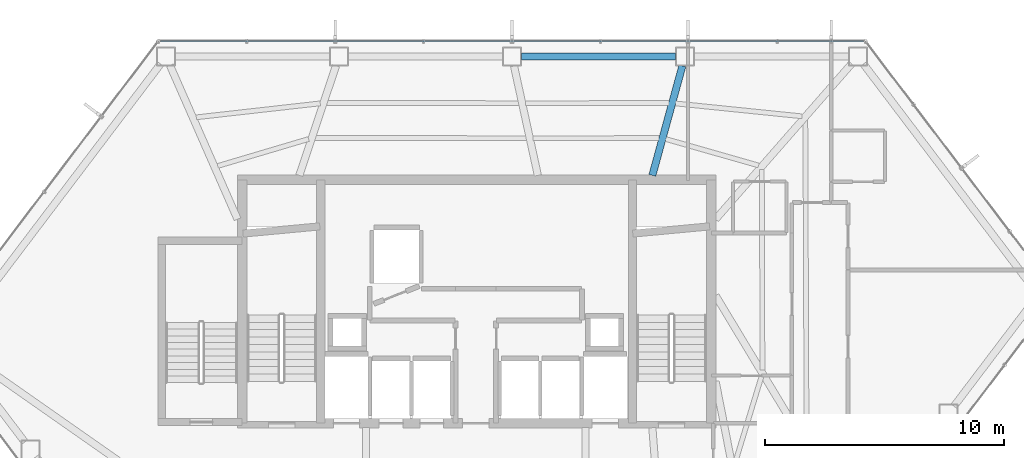
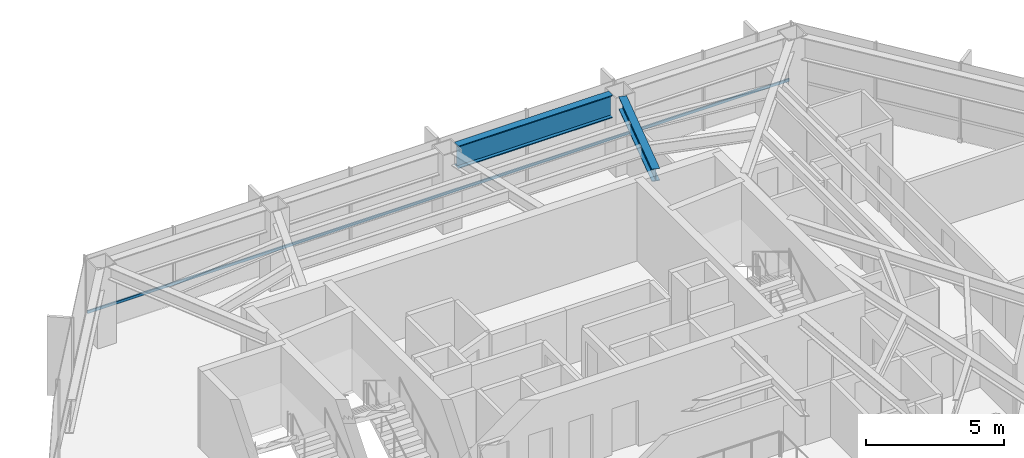
# One storey, part 14 of 28: 2 beams, 1 member, 1 element without a shape of its own.
"""IFC4 building model written with IfcOpenShell, lengths in metres."""

from ifc_helpers import new_model, si_unit, direction, frame, origin, origin_2d, place, context, subcontext, project, spatial, hollow_rectangle, i_section, extrude, material, layer, layer_set, material_profile, profile_set, type_object, element, aggregate, save


model = new_model("IFC4")

# Units and contexts
model_context = context("Model", 3, precision=1e-05, world=origin(), true_north=direction((0.0, 1.0)))
body_context = subcontext(model_context, "Body", "Model", "MODEL_VIEW")
ifc_project = project(units=[si_unit("LENGTHUNIT", "METRE"), si_unit("AREAUNIT", "SQUARE_METRE"), si_unit("VOLUMEUNIT", "CUBIC_METRE"), si_unit("PLANEANGLEUNIT", "RADIAN"), si_unit("MASSUNIT", "GRAM", prefix="KILO")], contexts=[model_context])

# Site, building, storey
site_placement = place(None, origin())
site = spatial("IfcSite", under=ifc_project, at=site_placement, CompositionType="ELEMENT")
building_placement = place(site_placement, origin())
building = spatial("IfcBuilding", under=site, at=building_placement, Name="Zarrinselat Tower", CompositionType="ELEMENT")
storey_placement = place(building_placement, frame((0.0, 0.0, 123.419921875)))
storey = spatial("IfcBuildingStorey", under=building, at=storey_placement, Name="L29", CompositionType="ELEMENT", Elevation=123.419921875)

# Beams
ifc_material_1 = material(Name="Steel S355J2", Category="steel")
ifc_material_profile_1 = material_profile(ifc_material_1, i_section(OverallWidth=0.300048828125, OverallDepth=0.550048828125, WebThickness=0.014892578125, FlangeThickness=0.029052734375, at=origin_2d()), Name="HEB 550")
ifc_profile_set_1 = profile_set([ifc_material_profile_1], Name="Steel S355J2")
beam_type_1 = type_object("IfcBeamType", Name="BM-HEB550", PredefinedType="BEAM", material=ifc_profile_set_1)
beam_1_placement = place(storey_placement, frame((45.800048828125, 43.639892578125, 3.22509765625), z_axis=(0.264528008887, 0.964378002919, 0.0), x_axis=(-0.964378002919, 0.264528008887, 0.0)))
element("IfcBeam", 1, at=beam_1_placement, inside=storey, type_object=beam_type_1, Name="L29 Radial Primary Girder RG02", PredefinedType="BEAM", context=body_context, shape_type="SweptSolid", body=[
    extrude(i_section(OverallWidth=0.300048828125, OverallDepth=0.550048828125, WebThickness=0.014892578125, FlangeThickness=0.029052734375, at=origin_2d()), origin(), (0.0, 0.0, 1.0), 4.758544921875),
])
ifc_material_2 = material(Name="Steel S460M", Category="steel")
ifc_material_profile_2 = material_profile(ifc_material_2, i_section(OverallWidth=0.302001953125, OverallDepth=1.008056640625, WebThickness=0.02099609375, FlangeThickness=0.0400390625, at=origin_2d()), Name="HEM 1000")
ifc_profile_set_2 = profile_set([ifc_material_profile_2], Name="Steel S460M")
beam_type_2 = type_object("IfcBeamType", Name="BM-HEM1000", PredefinedType="BEAM", material=ifc_profile_set_2)
beam_2_placement = place(storey_placement, frame((40.3037109375, 48.61669921875, 2.99609375), z_axis=(1.0, 0.0, 0.0), x_axis=(0.0, 1.0, 0.0)))
element("IfcBeam", 2, at=beam_2_placement, inside=storey, type_object=beam_type_2, Name="L29 Perimeter Spandrel Girder SP02", PredefinedType="BEAM", context=body_context, shape_type="SweptSolid", body=[
    extrude(i_section(OverallWidth=0.302001953125, OverallDepth=1.008056640625, WebThickness=0.02099609375, FlangeThickness=0.0400390625, at=origin_2d()), origin(), (0.0, 0.0, 1.0), 6.473388671875),
])

# Curtain wall, member
ifc_material_3 = material(Name="Extruded Aluminium Alloy EN AW-6063 T6", Category="aluminium")
ifc_layer = layer(ifc_material_3, 0.175048828125)
ifc_layer_set = layer_set([ifc_layer], Name="Extruded Aluminium Alloy EN AW-6063 T6")
curtain_wall_type = type_object("IfcCurtainWallType", Name="CWS-HTL", PredefinedType="NOTDEFINED", material=ifc_layer_set)
curtain_wall_placement = place(storey_placement, origin())
curtain_wall = element("IfcCurtainWall", 3, at=curtain_wall_placement, inside=storey, type_object=curtain_wall_type, Name="L29 Unitised Curtain Wall CW-L29-E01", PredefinedType="NOTDEFINED")
ifc_material_4 = material(Name="Extruded Aluminium Alloy EN AW-6063 T6", Category="aluminium")
ifc_material_profile_3 = material_profile(ifc_material_4, hollow_rectangle(XDim=0.06005859375, YDim=0.1201171875, WallThickness=0.00390625, at=origin_2d()), Name="RHS 120x60x4")
ifc_profile_set_3 = profile_set([ifc_material_profile_3], Name="Extruded Aluminium Alloy EN AW-6063 T6")
member_type = type_object("IfcMemberType", Name="MEM-CW-TRN2", PredefinedType="USERDEFINED", material=ifc_profile_set_3)
member_placement = place(storey_placement, frame((54.647705078125, 49.2666015625, 0.9501953125), z_axis=(-1.0, 0.0, 0.0), x_axis=(0.0, -1.0, 0.0)))
member = element("IfcMember", 4, at=member_placement, type_object=member_type, Name="CW-L29-E01 Transom 1", ObjectType="TRANSOM", PredefinedType="USERDEFINED", context=body_context, shape_type="SweptSolid", body=[
    extrude(hollow_rectangle(XDim=0.06005859375, YDim=0.1201171875, WallThickness=0.00390625, at=origin_2d()), origin(), (0.0, 0.0, 1.0), 29.464111328125),
])
aggregate(curtain_wall, [member])

save(model, "model.ifc")
